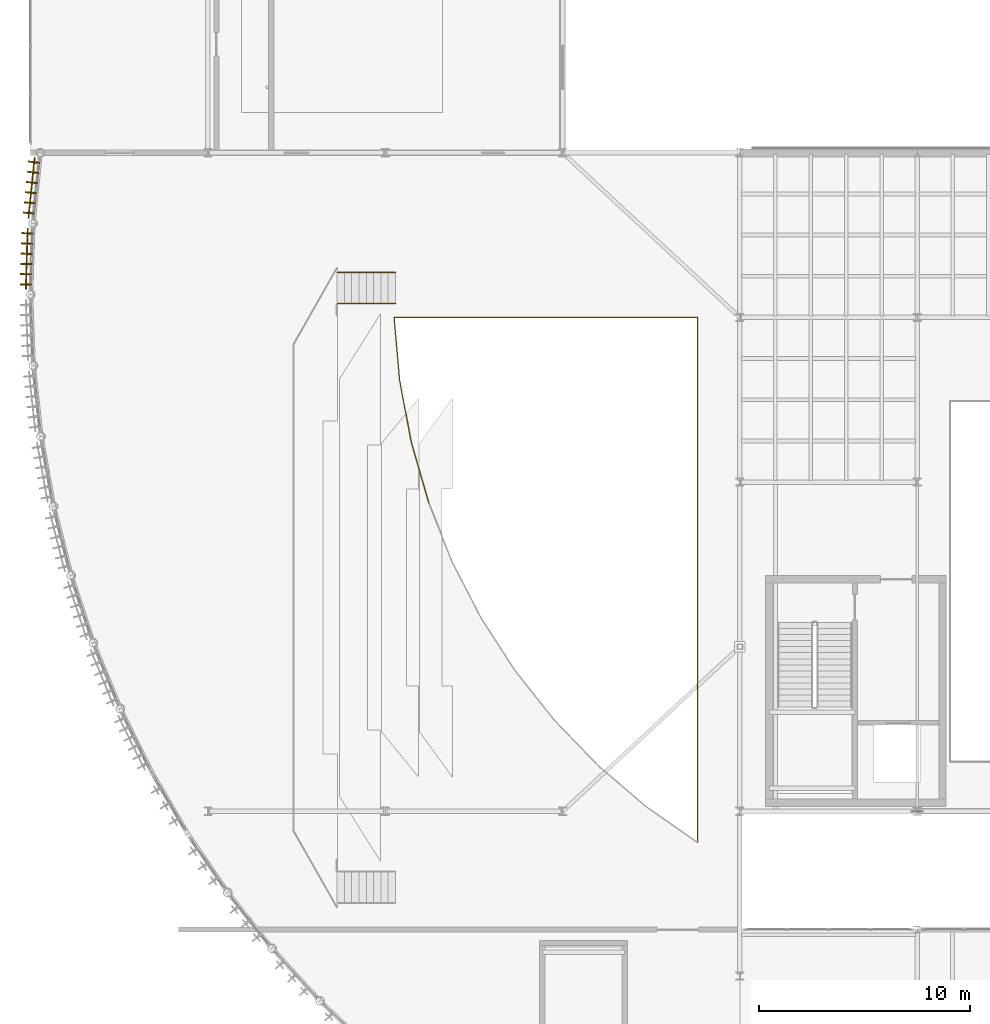
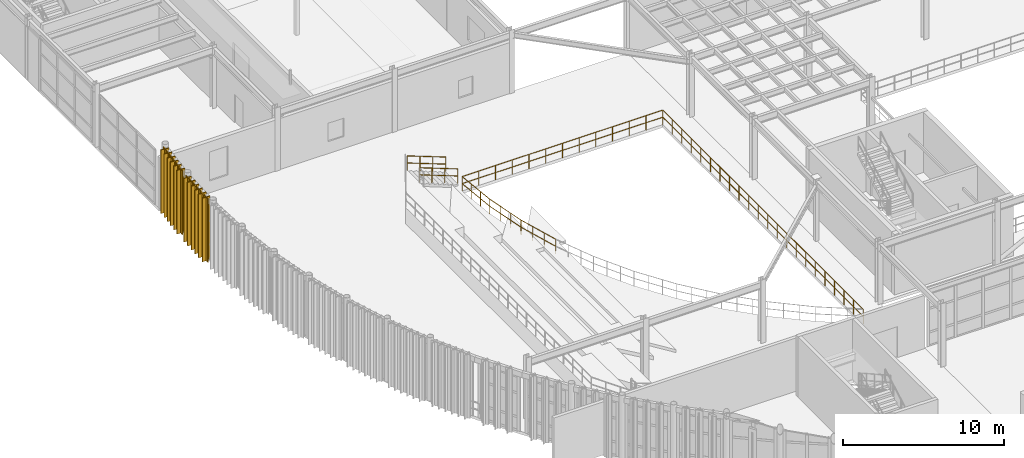
# One storey, part 110 of 116: 12 coverings, 12 shading devices, 7 railings.
"""IFC4 building model written with IfcOpenShell, lengths in metres."""

from ifc_helpers import new_model, si_unit, direction, frame, origin, origin_2d, place, context, subcontext, project, spatial, polyline, rectangle, circle, outline, extrude, material, layer, layer_set, material_profile, profile_set, type_object, element, save


model = new_model("IFC4")

# Units and contexts
model_context = context("Model", 3, precision=1e-05, world=origin(), true_north=direction((0.0, 1.0)))
body_context = subcontext(model_context, "Body", "Model", "MODEL_VIEW")
ifc_project = project(units=[si_unit("LENGTHUNIT", "METRE"), si_unit("AREAUNIT", "SQUARE_METRE"), si_unit("VOLUMEUNIT", "CUBIC_METRE"), si_unit("PLANEANGLEUNIT", "RADIAN"), si_unit("MASSUNIT", "GRAM", prefix="KILO")], contexts=[model_context])

# Site, building, storey
site_placement = place(None, origin())
site = spatial("IfcSite", under=ifc_project, at=site_placement, CompositionType="ELEMENT")
building_placement = place(site_placement, origin())
building = spatial("IfcBuilding", under=site, at=building_placement, Name="Selat Folded Stagehouse", CompositionType="ELEMENT")
storey_placement = place(building_placement, frame((0.0, 0.0, 5.39990234375)))
storey = spatial("IfcBuildingStorey", under=building, at=storey_placement, Name="L01", CompositionType="ELEMENT", Elevation=5.39990234375)

# Coverings
ifc_material_1 = material(Name="Bronze-anodised aluminium 6063-T6", Category="aluminium")
ifc_layer_1 = layer(ifc_material_1, 0.06201171875)
ifc_layer_set_1 = layer_set([ifc_layer_1], Name="Bronze-anodised aluminium 6063-T6")
covering_type = type_object("IfcCoveringType", Name="COV-FIN-BRZ48", PredefinedType="CLADDING", material=ifc_layer_set_1)
covering_1_placement = place(storey_placement, frame((0.0, 0.0, -0.099853515625)))
element("IfcCovering", 1, at=covering_1_placement, inside=storey, type_object=covering_type, Name="L01 drum bronze fin cladding sheath 001", PredefinedType="CLADDING", context=body_context, shape_type="SweptSolid", body=[
    extrude(outline(polyline([(0.430419921875, 54.150390625), (-0.105224609375, 54.21923828125), (-0.11328125, 54.156005859375), (0.42236328125, 54.0869140625), (0.430419921875, 54.150390625)])), origin(), (0.0, 0.0, 1.0), 4.820068359375),
])
covering_2_placement = place(storey_placement, frame((0.0, 0.0, -0.099853515625)))
element("IfcCovering", 2, at=covering_2_placement, inside=storey, type_object=covering_type, Name="L01 drum bronze fin cladding sheath 006", PredefinedType="CLADDING", context=body_context, shape_type="SweptSolid", body=[
    extrude(outline(polyline([(0.380615234375, 53.671875), (-0.155517578125, 53.735595703125), (-0.1630859375, 53.671875), (0.373291015625, 53.6083984375), (0.380615234375, 53.671875)])), origin(), (0.0, 0.0, 1.0), 4.820068359375),
])
covering_3_placement = place(storey_placement, frame((0.0, 0.0, -0.099853515625)))
element("IfcCovering", 3, at=covering_3_placement, inside=storey, type_object=covering_type, Name="L01 drum bronze fin cladding sheath 011", PredefinedType="CLADDING", context=body_context, shape_type="SweptSolid", body=[
    extrude(outline(polyline([(0.3310546875, 53.193359375), (-0.205810546875, 53.251708984375), (-0.212646484375, 53.18798828125), (0.32421875, 53.1298828125), (0.3310546875, 53.193359375)])), origin(), (0.0, 0.0, 1.0), 4.820068359375),
])
covering_4_placement = place(storey_placement, frame((0.0, 0.0, -0.099853515625)))
element("IfcCovering", 4, at=covering_4_placement, inside=storey, type_object=covering_type, Name="L01 drum bronze fin cladding sheath 016", PredefinedType="CLADDING", context=body_context, shape_type="SweptSolid", body=[
    extrude(outline(polyline([(0.28125, 52.71484375), (-0.256103515625, 52.767578125), (-0.26220703125, 52.7041015625), (0.275146484375, 52.651123046875), (0.28125, 52.71484375)])), origin(), (0.0, 0.0, 1.0), 4.820068359375),
])
covering_5_placement = place(storey_placement, frame((0.0, 0.0, -0.099853515625)))
element("IfcCovering", 5, at=covering_5_placement, inside=storey, type_object=covering_type, Name="L01 drum bronze fin cladding sheath 021", PredefinedType="CLADDING", context=body_context, shape_type="SweptSolid", body=[
    extrude(outline(polyline([(0.231689453125, 52.236328125), (-0.306396484375, 52.28369140625), (-0.31201171875, 52.219970703125), (0.22607421875, 52.172607421875), (0.231689453125, 52.236328125)])), origin(), (0.0, 0.0, 1.0), 4.820068359375),
])
covering_6_placement = place(storey_placement, frame((0.0, 0.0, -0.099853515625)))
element("IfcCovering", 6, at=covering_6_placement, inside=storey, type_object=covering_type, Name="L01 drum bronze fin cladding sheath 026", PredefinedType="CLADDING", context=body_context, shape_type="SweptSolid", body=[
    extrude(outline(polyline([(0.181884765625, 51.7578125), (-0.3564453125, 51.7998046875), (-0.361328125, 51.736083984375), (0.177001953125, 51.694091796875), (0.181884765625, 51.7578125)])), origin(), (0.0, 0.0, 1.0), 4.820068359375),
])
covering_7_placement = place(storey_placement, frame((0.0, 0.0, -0.099853515625)))
element("IfcCovering", 7, at=covering_7_placement, inside=storey, type_object=covering_type, Name="L01 drum bronze fin cladding sheath 032", PredefinedType="CLADDING", context=body_context, shape_type="SweptSolid", body=[
    extrude(outline(polyline([(0.1162109375, 50.798583984375), (-0.4228515625, 50.82958984375), (-0.426513671875, 50.765869140625), (0.112548828125, 50.734619140625), (0.1162109375, 50.798583984375)])), origin(), (0.0, 0.0, 1.0), 4.820068359375),
])
covering_8_placement = place(storey_placement, frame((0.0, 0.0, -0.099853515625)))
element("IfcCovering", 8, at=covering_8_placement, inside=storey, type_object=covering_type, Name="L01 drum bronze fin cladding sheath 038", PredefinedType="CLADDING", context=body_context, shape_type="SweptSolid", body=[
    extrude(outline(polyline([(0.10009765625, 50.31787109375), (-0.439208984375, 50.343505859375), (-0.4423828125, 50.279541015625), (0.09716796875, 50.25390625), (0.10009765625, 50.31787109375)])), origin(), (0.0, 0.0, 1.0), 4.820068359375),
])
covering_9_placement = place(storey_placement, frame((0.0, 0.0, -0.099853515625)))
element("IfcCovering", 9, at=covering_9_placement, inside=storey, type_object=covering_type, Name="L01 drum bronze fin cladding sheath 044", PredefinedType="CLADDING", context=body_context, shape_type="SweptSolid", body=[
    extrude(outline(polyline([(0.083984375, 49.8369140625), (-0.45556640625, 49.857421875), (-0.4580078125, 49.793212890625), (0.081787109375, 49.77294921875), (0.083984375, 49.8369140625)])), origin(), (0.0, 0.0, 1.0), 4.820068359375),
])
covering_10_placement = place(storey_placement, frame((0.0, 0.0, -0.099853515625)))
element("IfcCovering", 10, at=covering_10_placement, inside=storey, type_object=covering_type, Name="L01 drum bronze fin cladding sheath 050", PredefinedType="CLADDING", context=body_context, shape_type="SweptSolid", body=[
    extrude(outline(polyline([(0.068115234375, 49.356201171875), (-0.4716796875, 49.37109375), (-0.473388671875, 49.30712890625), (0.06640625, 49.2919921875), (0.068115234375, 49.356201171875)])), origin(), (0.0, 0.0, 1.0), 4.820068359375),
])
covering_11_placement = place(storey_placement, frame((0.0, 0.0, -0.099853515625)))
element("IfcCovering", 11, at=covering_11_placement, inside=storey, type_object=covering_type, Name="L01 drum bronze fin cladding sheath 056", PredefinedType="CLADDING", context=body_context, shape_type="SweptSolid", body=[
    extrude(outline(polyline([(0.052001953125, 48.875244140625), (-0.48779296875, 48.884765625), (-0.489013671875, 48.82080078125), (0.051025390625, 48.811279296875), (0.052001953125, 48.875244140625)])), origin(), (0.0, 0.0, 1.0), 4.820068359375),
])
covering_12_placement = place(storey_placement, frame((0.0, 0.0, -0.099853515625)))
element("IfcCovering", 12, at=covering_12_placement, inside=storey, type_object=covering_type, Name="L01 drum bronze fin cladding sheath 062", PredefinedType="CLADDING", context=body_context, shape_type="SweptSolid", body=[
    extrude(outline(polyline([(0.0361328125, 48.39453125), (-0.50390625, 48.398681640625), (-0.50439453125, 48.334716796875), (0.03564453125, 48.33056640625), (0.0361328125, 48.39453125)])), origin(), (0.0, 0.0, 1.0), 4.820068359375),
])

# Railings
ifc_material_2 = material(Name="Bronze-anodised steel balustrade", Category="steel")
ifc_layer_2 = layer(ifc_material_2, 0.06494140625)
ifc_layer_set_2 = layer_set([ifc_layer_2], Name="Bronze-anodised steel balustrade")
railing_type = type_object("IfcRailingType", Name="RLG-BAL-1120", PredefinedType="BALUSTRADE", material=ifc_layer_set_2)
railing_1_placement = place(storey_placement, frame((31.60009765625, 46.800048828125, 0.0)))
element("IfcRailing", 13, at=railing_1_placement, inside=storey, type_object=railing_type, Name="L01 protective guard railing 074", PredefinedType="BALUSTRADE", context=body_context, shape_type="SweptSolid", body=[
    extrude(circle(Radius=0.02392578125, at=origin_2d()), frame((0.0, 0.0, 1.09619140625), z_axis=(0.0, -1.0, 0.0), x_axis=(1.0, 0.0, 0.0)), (0.0, 0.0, 1.0), 24.870849609375),
    extrude(circle(Radius=0.02392578125, at=origin_2d()), frame((0.0, 0.0, 0.56005859375), z_axis=(0.0, -1.0, 0.0), x_axis=(1.0, 0.0, 0.0)), (0.0, 0.0, 1.0), 24.870849609375),
    extrude(circle(Radius=0.02099609375, at=origin_2d()), origin(), (0.0, 0.0, 1.0), 1.072021484375),
    extrude(circle(Radius=0.02099609375, at=origin_2d()), frame((0.0, -1.184326171875, 0.0)), (0.0, 0.0, 1.0), 1.072021484375),
    extrude(circle(Radius=0.02099609375, at=origin_2d()), frame((0.0, -2.36865234375, 0.0)), (0.0, 0.0, 1.0), 1.072021484375),
    extrude(circle(Radius=0.02099609375, at=origin_2d()), frame((0.0, -3.552978515625, 0.0)), (0.0, 0.0, 1.0), 1.072021484375),
    extrude(circle(Radius=0.02099609375, at=origin_2d()), frame((0.0, -4.7373046875, 0.0)), (0.0, 0.0, 1.0), 1.072021484375),
    extrude(circle(Radius=0.02099609375, at=origin_2d()), frame((0.0, -5.921630859375, 0.0)), (0.0, 0.0, 1.0), 1.072021484375),
    extrude(circle(Radius=0.02099609375, at=origin_2d()), frame((0.0, -7.10595703125, 0.0)), (0.0, 0.0, 1.0), 1.072021484375),
    extrude(circle(Radius=0.02099609375, at=origin_2d()), frame((0.0, -8.290283203125, 0.0)), (0.0, 0.0, 1.0), 1.072021484375),
    extrude(circle(Radius=0.02099609375, at=origin_2d()), frame((0.0, -9.474609375, 0.0)), (0.0, 0.0, 1.0), 1.072021484375),
    extrude(circle(Radius=0.02099609375, at=origin_2d()), frame((0.0, -10.658935546875, 0.0)), (0.0, 0.0, 1.0), 1.072021484375),
    extrude(circle(Radius=0.02099609375, at=origin_2d()), frame((0.0, -11.84326171875, 0.0)), (0.0, 0.0, 1.0), 1.072021484375),
    extrude(circle(Radius=0.02099609375, at=origin_2d()), frame((0.0, -13.027587890625, 0.0)), (0.0, 0.0, 1.0), 1.072021484375),
    extrude(circle(Radius=0.02099609375, at=origin_2d()), frame((0.0, -14.2119140625, 0.0)), (0.0, 0.0, 1.0), 1.072021484375),
    extrude(circle(Radius=0.02099609375, at=origin_2d()), frame((0.0, -15.396240234375, 0.0)), (0.0, 0.0, 1.0), 1.072021484375),
    extrude(circle(Radius=0.02099609375, at=origin_2d()), frame((0.0, -16.58056640625, 0.0)), (0.0, 0.0, 1.0), 1.072021484375),
    extrude(circle(Radius=0.02099609375, at=origin_2d()), frame((0.0, -17.764892578125, 0.0)), (0.0, 0.0, 1.0), 1.072021484375),
    extrude(circle(Radius=0.02099609375, at=origin_2d()), frame((0.0, -18.94921875, 0.0)), (0.0, 0.0, 1.0), 1.072021484375),
    extrude(circle(Radius=0.02099609375, at=origin_2d()), frame((0.0, -20.133544921875, 0.0)), (0.0, 0.0, 1.0), 1.072021484375),
    extrude(circle(Radius=0.02099609375, at=origin_2d()), frame((0.0, -21.31787109375, 0.0)), (0.0, 0.0, 1.0), 1.072021484375),
    extrude(circle(Radius=0.02099609375, at=origin_2d()), frame((0.0, -22.502197265625, 0.0)), (0.0, 0.0, 1.0), 1.072021484375),
    extrude(circle(Radius=0.02099609375, at=origin_2d()), frame((0.0, -23.6865234375, 0.0)), (0.0, 0.0, 1.0), 1.072021484375),
    extrude(circle(Radius=0.02099609375, at=origin_2d()), frame((0.0, -24.870849609375, 0.0)), (0.0, 0.0, 1.0), 1.072021484375),
])
railing_2_placement = place(storey_placement, frame((18.862548828125, 38.017578125, 0.0)))
element("IfcRailing", 14, at=railing_2_placement, inside=storey, type_object=railing_type, Name="L01 protective guard railing 082", PredefinedType="BALUSTRADE", context=body_context, shape_type="SweptSolid", body=[
    extrude(circle(Radius=0.02392578125, at=origin_2d()), frame((0.0, 0.0, 1.09619140625), z_axis=(-0.277849721872, 0.960624553119, 0.0), x_axis=(-0.960624553119, -0.277849721872, 0.0)), (0.0, 0.0, 1.0), 2.987548828125),
    extrude(circle(Radius=0.02392578125, at=origin_2d()), frame((0.0, 0.0, 0.56005859375), z_axis=(-0.277849721872, 0.960624553119, 0.0), x_axis=(-0.960624553119, -0.277849721872, 0.0)), (0.0, 0.0, 1.0), 2.987548828125),
    extrude(circle(Radius=0.02099609375, at=origin_2d()), origin(), (0.0, 0.0, 1.0), 1.072021484375),
    extrude(circle(Radius=0.02099609375, at=origin_2d()), frame((-0.276611328125, 0.95654296875, 0.0)), (0.0, 0.0, 1.0), 1.072021484375),
    extrude(circle(Radius=0.02099609375, at=origin_2d()), frame((-0.553466796875, 1.913330078125, 0.0)), (0.0, 0.0, 1.0), 1.072021484375),
    extrude(circle(Radius=0.02099609375, at=origin_2d()), frame((-0.830078125, 2.869873046875, 0.0)), (0.0, 0.0, 1.0), 1.072021484375),
])
railing_3_placement = place(storey_placement, frame((18.032470703125, 40.887451171875, 0.0)))
element("IfcRailing", 15, at=railing_3_placement, inside=storey, type_object=railing_type, Name="L01 protective guard railing 083", PredefinedType="BALUSTRADE", context=body_context, shape_type="SweptSolid", body=[
    extrude(circle(Radius=0.02392578125, at=origin_2d()), frame((0.0, 0.0, 1.09619140625), z_axis=(-0.183479211833, 0.983023590167, 0.0), x_axis=(-0.983023590167, -0.183479211833, 0.0)), (0.0, 0.0, 1.0), 2.9873046875),
    extrude(circle(Radius=0.02392578125, at=origin_2d()), frame((0.0, 0.0, 0.56005859375), z_axis=(-0.183479211833, 0.983023590167, 0.0), x_axis=(-0.983023590167, -0.183479211833, 0.0)), (0.0, 0.0, 1.0), 2.9873046875),
    extrude(circle(Radius=0.02099609375, at=origin_2d()), origin(), (0.0, 0.0, 1.0), 1.072021484375),
    extrude(circle(Radius=0.02099609375, at=origin_2d()), frame((-0.1826171875, 0.978759765625, 0.0)), (0.0, 0.0, 1.0), 1.072021484375),
    extrude(circle(Radius=0.02099609375, at=origin_2d()), frame((-0.365478515625, 1.957763671875, 0.0)), (0.0, 0.0, 1.0), 1.072021484375),
    extrude(circle(Radius=0.02099609375, at=origin_2d()), frame((-0.548095703125, 2.9365234375, 0.0)), (0.0, 0.0, 1.0), 1.072021484375),
])
railing_4_placement = place(storey_placement, frame((17.484375, 43.823974609375, 0.0)))
element("IfcRailing", 16, at=railing_4_placement, inside=storey, type_object=railing_type, Name="L01 protective guard railing 084", PredefinedType="BALUSTRADE", context=body_context, shape_type="SweptSolid", body=[
    extrude(circle(Radius=0.02392578125, at=origin_2d()), frame((0.0, 0.0, 1.09619140625), z_axis=(-0.087359560921, 0.996176845302, 0.0), x_axis=(-0.996176845302, -0.087359560921, 0.0)), (0.0, 0.0, 1.0), 2.987548828125),
    extrude(circle(Radius=0.02392578125, at=origin_2d()), frame((0.0, 0.0, 0.56005859375), z_axis=(-0.087359560921, 0.996176845302, 0.0), x_axis=(-0.996176845302, -0.087359560921, 0.0)), (0.0, 0.0, 1.0), 2.987548828125),
    extrude(circle(Radius=0.02099609375, at=origin_2d()), origin(), (0.0, 0.0, 1.0), 1.072021484375),
    extrude(circle(Radius=0.02099609375, at=origin_2d()), frame((-0.0869140625, 0.991943359375, 0.0)), (0.0, 0.0, 1.0), 1.072021484375),
    extrude(circle(Radius=0.02099609375, at=origin_2d()), frame((-0.174072265625, 1.984130859375, 0.0)), (0.0, 0.0, 1.0), 1.072021484375),
    extrude(circle(Radius=0.02099609375, at=origin_2d()), frame((-0.260986328125, 2.97607421875, 0.0)), (0.0, 0.0, 1.0), 1.072021484375),
])
railing_5_placement = place(storey_placement, frame((17.223388671875, 46.800048828125, 0.0)))
element("IfcRailing", 17, at=railing_5_placement, inside=storey, type_object=railing_type, Name="L01 protective guard railing 085", PredefinedType="BALUSTRADE", context=body_context, shape_type="SweptSolid", body=[
    extrude(circle(Radius=0.02392578125, at=origin_2d()), frame((0.0, 0.0, 1.09619140625), z_axis=(1.0, 0.0, 0.0), x_axis=(0.0, 1.0, 0.0)), (0.0, 0.0, 1.0), 14.376708984375),
    extrude(circle(Radius=0.02392578125, at=origin_2d()), frame((0.0, 0.0, 0.56005859375), z_axis=(1.0, 0.0, 0.0), x_axis=(0.0, 1.0, 0.0)), (0.0, 0.0, 1.0), 14.376708984375),
    extrude(circle(Radius=0.02099609375, at=origin_2d()), origin(), (0.0, 0.0, 1.0), 1.072021484375),
    extrude(circle(Radius=0.02099609375, at=origin_2d()), frame((1.197998046875, 0.0, 0.0)), (0.0, 0.0, 1.0), 1.072021484375),
    extrude(circle(Radius=0.02099609375, at=origin_2d()), frame((2.39599609375, 0.0, 0.0)), (0.0, 0.0, 1.0), 1.072021484375),
    extrude(circle(Radius=0.02099609375, at=origin_2d()), frame((3.59423828125, 0.0, 0.0)), (0.0, 0.0, 1.0), 1.072021484375),
    extrude(circle(Radius=0.02099609375, at=origin_2d()), frame((4.792236328125, 0.0, 0.0)), (0.0, 0.0, 1.0), 1.072021484375),
    extrude(circle(Radius=0.02099609375, at=origin_2d()), frame((5.990234375, 0.0, 0.0)), (0.0, 0.0, 1.0), 1.072021484375),
    extrude(circle(Radius=0.02099609375, at=origin_2d()), frame((7.1884765625, 0.0, 0.0)), (0.0, 0.0, 1.0), 1.072021484375),
    extrude(circle(Radius=0.02099609375, at=origin_2d()), frame((8.386474609375, 0.0, 0.0)), (0.0, 0.0, 1.0), 1.072021484375),
    extrude(circle(Radius=0.02099609375, at=origin_2d()), frame((9.58447265625, 0.0, 0.0)), (0.0, 0.0, 1.0), 1.072021484375),
    extrude(circle(Radius=0.02099609375, at=origin_2d()), frame((10.782470703125, 0.0, 0.0)), (0.0, 0.0, 1.0), 1.072021484375),
    extrude(circle(Radius=0.02099609375, at=origin_2d()), frame((11.98046875, 0.0, 0.0)), (0.0, 0.0, 1.0), 1.072021484375),
    extrude(circle(Radius=0.02099609375, at=origin_2d()), frame((13.1787109375, 0.0, 0.0)), (0.0, 0.0, 1.0), 1.072021484375),
    extrude(circle(Radius=0.02099609375, at=origin_2d()), frame((14.376708984375, 0.0, 0.0)), (0.0, 0.0, 1.0), 1.072021484375),
])
for number, where, name in (
    (18, (17.280029296875, 47.4599609375, 0.16015625), "L01 aisle stair balustrade STA-MT-L01-N-S"),
    (19, (17.280029296875, 48.93994140625, 0.16015625), "L01 aisle stair balustrade STA-MT-L01-N-N"),
):
    element("IfcRailing", number, at=place(storey_placement, frame(where)), inside=storey, type_object=railing_type, Name=name, PredefinedType="BALUSTRADE", context=body_context, shape_type="SweptSolid", body=[
        extrude(circle(Radius=0.02392578125, at=origin_2d()), frame((0.0, 0.0, 1.09619140625), z_axis=(-0.934093173048, 0.0, 0.357029332219), x_axis=(0.0, -1.0, 0.0)), (0.0, 0.0, 1.0), 2.954833984375),
        extrude(circle(Radius=0.02392578125, at=origin_2d()), frame((0.0, 0.0, 0.56005859375), z_axis=(-0.934093173048, 0.0, 0.357029332219), x_axis=(0.0, -1.0, 0.0)), (0.0, 0.0, 1.0), 2.954833984375),
        extrude(circle(Radius=0.02099609375, at=origin_2d()), origin(), (0.0, 0.0, 1.0), 1.072021484375),
        extrude(circle(Radius=0.02099609375, at=origin_2d()), frame((-0.919921875, 0.0, 0.3515625)), (0.0, 0.0, 1.0), 1.072021484375),
        extrude(circle(Radius=0.02099609375, at=origin_2d()), frame((-1.840087890625, 0.0, 0.703369140625)), (0.0, 0.0, 1.0), 1.072021484375),
        extrude(circle(Radius=0.02099609375, at=origin_2d()), frame((-2.760009765625, 0.0, 1.054931640625)), (0.0, 0.0, 1.0), 1.072021484375),
    ])

# Shading devices
ifc_material_profile = material_profile(ifc_material_1, rectangle(XDim=0.06005859375, YDim=0.47998046875, at=origin_2d()), Name="SOLAR-FIN 480x60")
ifc_profile_set = profile_set([ifc_material_profile], Name="Bronze-anodised aluminium 6063-T6")
shading_device_type = type_object("IfcShadingDeviceType", Name="SHD-FIN-480x60", PredefinedType="USERDEFINED", material=ifc_profile_set)
for number, where, z_axis, x_axis, name in (
    (20, (0.16845703125, 54.15185546875, -0.099853515625), (0.0, 0.0, 1.0), (-0.991827775753, 0.127583945876, 0.0), "L01 drum vertical bronze solar fin 001"),
    (21, (0.118896484375, 53.670654296875, -0.099853515625), (0.0, 0.0, 1.0), (-0.993068456955, 0.117537397458, 0.0), "L01 drum vertical bronze solar fin 006"),
    (22, (0.069091796875, 53.189697265625, -0.099853515625), (0.0, 0.0, 1.0), (-0.994188602291, 0.107652324982, 0.0), "L01 drum vertical bronze solar fin 011"),
    (23, (0.019287109375, 52.70849609375, -0.099853515625), (0.0, 0.0, 1.0), (-0.995227399982, 0.097582899759, 0.0), "L01 drum vertical bronze solar fin 016"),
    (24, (-0.0302734375, 52.227294921875, -0.099853515625), (0.0, 0.0, 1.0), (-0.996148926897, 0.087677337101, 0.0), "L01 drum vertical bronze solar fin 021"),
    (25, (-0.079833984375, 51.74609375, -0.099853515625), (0.0, 0.0, 1.0), (-0.996971865568, 0.077763097071, 0.0), "L01 drum vertical bronze solar fin 026"),
    (26, (-0.145263671875, 50.781494140625, -0.099853515625), (0.0, 0.0, 1.0), (-0.99833175459, 0.0577382696, 0.0), "L01 drum vertical bronze solar fin 032"),
    (27, (-0.1611328125, 50.298095703125, -0.099853515625), (0.0, 0.0, 1.0), (-0.998865073158, 0.047629461744, 0.0), "L01 drum vertical bronze solar fin 038"),
    (28, (-0.177001953125, 49.814697265625, -0.099853515625), (0.0, 0.0, 1.0), (-0.999289472641, 0.03769018267, 0.0), "L01 drum vertical bronze solar fin 044"),
    (29, (-0.192626953125, 49.331298828125, -0.099853515625), (0.0, 0.0, 1.0), (-0.999619800631, 0.027572707275, 0.0), "L01 drum vertical bronze solar fin 050"),
    (30, (-0.20849609375, 48.847900390625, -0.099853515625), (0.0, 0.0, 1.0), (-0.999844633908, 0.017626912514, 0.0), "L01 drum vertical bronze solar fin 056"),
    (31, (-0.22412109375, 48.364501953125, -0.099853515625), (0.0, 0.0, 1.0), (-0.999971838252, 0.007504845333, 0.0), "L01 drum vertical bronze solar fin 062"),
):
    element("IfcShadingDevice", number, at=place(storey_placement, frame(where, z_axis=z_axis, x_axis=x_axis)), inside=storey, type_object=shading_device_type, Name=name, ObjectType="FIN", PredefinedType="USERDEFINED", context=body_context, shape_type="SweptSolid", body=[
        extrude(rectangle(XDim=0.06005859375, YDim=0.47998046875, at=origin_2d()), origin(), (0.0, 0.0, 1.0), 4.820068359375),
    ])

save(model, "model.ifc")
